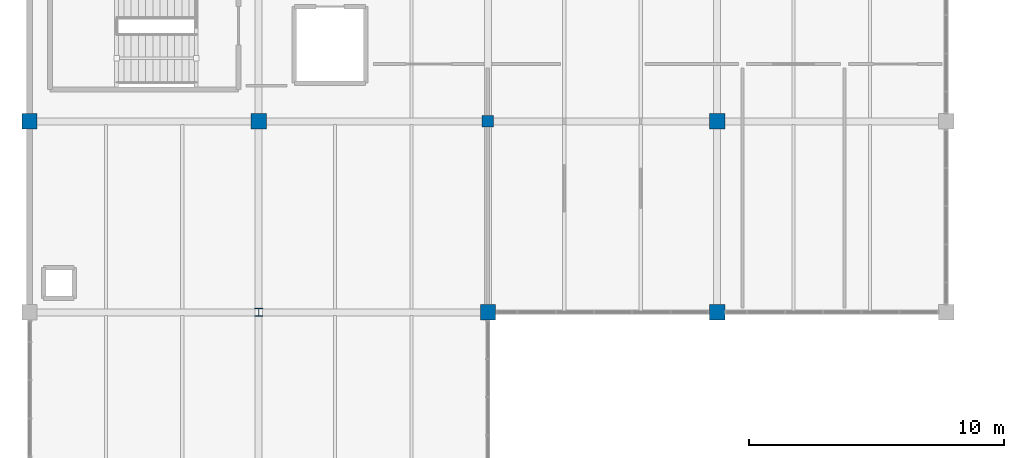
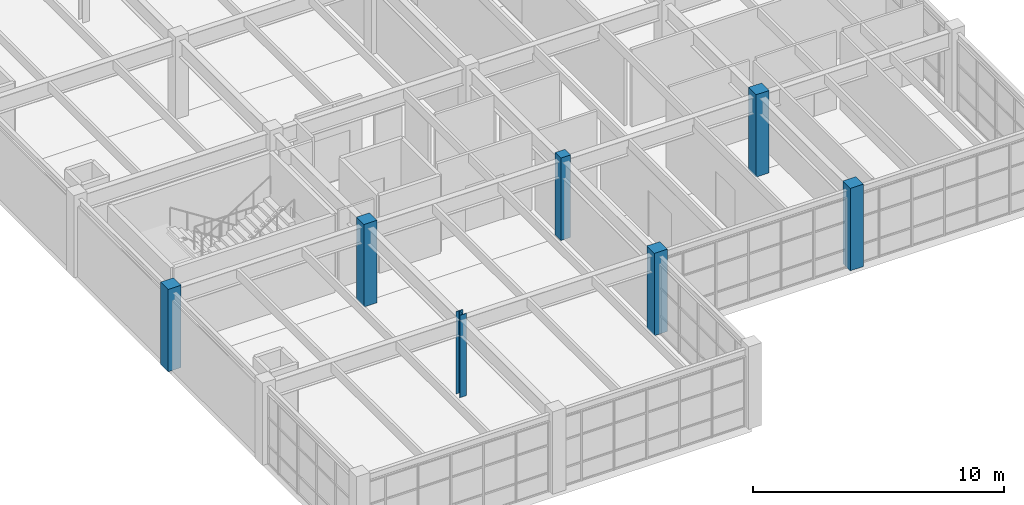
# One storey, part 7 of 76: 7 columns.
"""IFC4 building model written with IfcOpenShell, lengths in metres."""

from ifc_helpers import new_model, si_unit, direction, frame, origin, origin_2d, place, context, subcontext, project, spatial, rectangle, i_section, extrude, material, material_profile, profile_set, type_object, element, save


model = new_model("IFC4")

# Units and contexts
model_context = context("Model", 3, precision=1e-05, world=origin(), true_north=direction((0.0, 1.0)))
body_context = subcontext(model_context, "Body", "Model", "MODEL_VIEW")
ifc_project = project(units=[si_unit("LENGTHUNIT", "METRE"), si_unit("AREAUNIT", "SQUARE_METRE"), si_unit("VOLUMEUNIT", "CUBIC_METRE"), si_unit("PLANEANGLEUNIT", "RADIAN"), si_unit("MASSUNIT", "GRAM", prefix="KILO")], contexts=[model_context])

# Site, building, storey
site_placement = place(None, origin())
site = spatial("IfcSite", under=ifc_project, at=site_placement, CompositionType="ELEMENT")
building_placement = place(site_placement, origin())
building = spatial("IfcBuilding", under=site, at=building_placement, Name="Marnridge Secondary College", CompositionType="ELEMENT")
storey_placement = place(building_placement, frame((0.0, 0.0, 4.5)))
storey = spatial("IfcBuildingStorey", under=building, at=storey_placement, Name="L01", CompositionType="ELEMENT", Elevation=4.5)

# Columns
ifc_material_1 = material(Name="Concrete C40/50 (AS 3600 N40, 40 MPa)", Category="concrete")
ifc_material_profile_1 = material_profile(ifc_material_1, rectangle(XDim=0.449951171875, YDim=0.449951171875, at=origin_2d()), Name="RC 450x450")
ifc_profile_set_1 = profile_set([ifc_material_profile_1], Name="Concrete C40/50 (AS 3600 N40, 40 MPa)")
column_type_1 = type_object("IfcColumnType", Name="CL-RC450-INT", PredefinedType="COLUMN", material=ifc_profile_set_1)
column_1_placement = place(storey_placement, frame((18.0, 90.0, 0.0), z_axis=(0.0, 0.0, 1.0), x_axis=(1.0, 0.0, 0.0)))
element("IfcColumn", 1, at=column_1_placement, inside=storey, type_object=column_type_1, Name="Column C-L01-0512", PredefinedType="COLUMN", context=body_context, shape_type="SweptSolid", body=[
    extrude(rectangle(XDim=0.449951171875, YDim=0.449951171875, at=origin_2d()), origin(), (0.0, 0.0, 1.0), 4.0),
])
ifc_material_2 = material(Name="Concrete C40/50 (AS 3600 N40, 40 MPa)", Category="concrete")
ifc_material_profile_2 = material_profile(ifc_material_2, rectangle(XDim=0.60009765625, YDim=0.60009765625, at=origin_2d()), Name="RC 600x600")
ifc_profile_set_2 = profile_set([ifc_material_profile_2], Name="Concrete C40/50 (AS 3600 N40, 40 MPa)")
column_type_2 = type_object("IfcColumnType", Name="CL-RC600-EXT", PredefinedType="COLUMN", material=ifc_profile_set_2)
for number, where, z_axis, x_axis, name in (
    (2, (18.0, 82.5, 0.0), (0.0, 0.0, 1.0), (1.0, 0.0, 0.0), "Column C-L01-0473"),
    (3, (27.0, 82.5, 0.0), (0.0, 0.0, 1.0), (1.0, 0.0, 0.0), "Column C-L01-0477"),
    (4, (0.0, 90.0, 0.0), (0.0, 0.0, 1.0), (1.0, 0.0, 0.0), "Column C-L01-0504"),
):
    element("IfcColumn", number, at=place(storey_placement, frame(where, z_axis=z_axis, x_axis=x_axis)), inside=storey, type_object=column_type_2, Name=name, PredefinedType="COLUMN", context=body_context, shape_type="SweptSolid", body=[
        extrude(rectangle(XDim=0.60009765625, YDim=0.60009765625, at=origin_2d()), origin(), (0.0, 0.0, 1.0), 4.0),
    ])
ifc_material_3 = material(Name="Concrete C40/50 (AS 3600 N40, 40 MPa)", Category="concrete")
ifc_material_profile_3 = material_profile(ifc_material_3, rectangle(XDim=0.60009765625, YDim=0.60009765625, at=origin_2d()), Name="RC 600x600")
ifc_profile_set_3 = profile_set([ifc_material_profile_3], Name="Concrete C40/50 (AS 3600 N40, 40 MPa)")
column_type_3 = type_object("IfcColumnType", Name="CL-RC600-INT", PredefinedType="COLUMN", material=ifc_profile_set_3)
for number, where, z_axis, x_axis, name in (
    (5, (9.0, 90.0, 0.0), (0.0, 0.0, 1.0), (1.0, 0.0, 0.0), "Column C-L01-0508"),
    (6, (27.0, 90.0, 0.0), (0.0, 0.0, 1.0), (1.0, 0.0, 0.0), "Column C-L01-0516"),
):
    element("IfcColumn", number, at=place(storey_placement, frame(where, z_axis=z_axis, x_axis=x_axis)), inside=storey, type_object=column_type_3, Name=name, PredefinedType="COLUMN", context=body_context, shape_type="SweptSolid", body=[
        extrude(rectangle(XDim=0.60009765625, YDim=0.60009765625, at=origin_2d()), origin(), (0.0, 0.0, 1.0), 4.0),
    ])
ifc_material_4 = material(Name="Structural steel Grade 350 (AS/NZS 3679.1/.2, fy = 340-360 MPa)", Category="steel")
ifc_material_profile_4 = material_profile(ifc_material_4, i_section(OverallWidth=0.30908203125, OverallDepth=0.320556640625, WebThickness=0.013916015625, FlangeThickness=0.021728515625, FilletRadius=0.0166015625, at=origin_2d()), Name="310UC137")
ifc_profile_set_4 = profile_set([ifc_material_profile_4], Name="Structural steel Grade 350 (AS/NZS 3679.1/.2, fy = 340-360 MPa)")
column_type_4 = type_object("IfcColumnType", Name="CL-UC310-INT", PredefinedType="COLUMN", material=ifc_profile_set_4)
column_2_placement = place(storey_placement, frame((9.0, 82.5, 0.0), z_axis=(0.0, 0.0, 1.0), x_axis=(1.0, 0.0, 0.0)))
element("IfcColumn", 7, at=column_2_placement, inside=storey, type_object=column_type_4, Name="Column C-L01-0469", PredefinedType="COLUMN", context=body_context, shape_type="SweptSolid", body=[
    extrude(i_section(OverallWidth=0.30908203125, OverallDepth=0.320556640625, WebThickness=0.013916015625, FlangeThickness=0.021728515625, FilletRadius=0.0166015625, at=origin_2d()), origin(), (0.0, 0.0, 1.0), 4.0),
])

save(model, "model.ifc")
